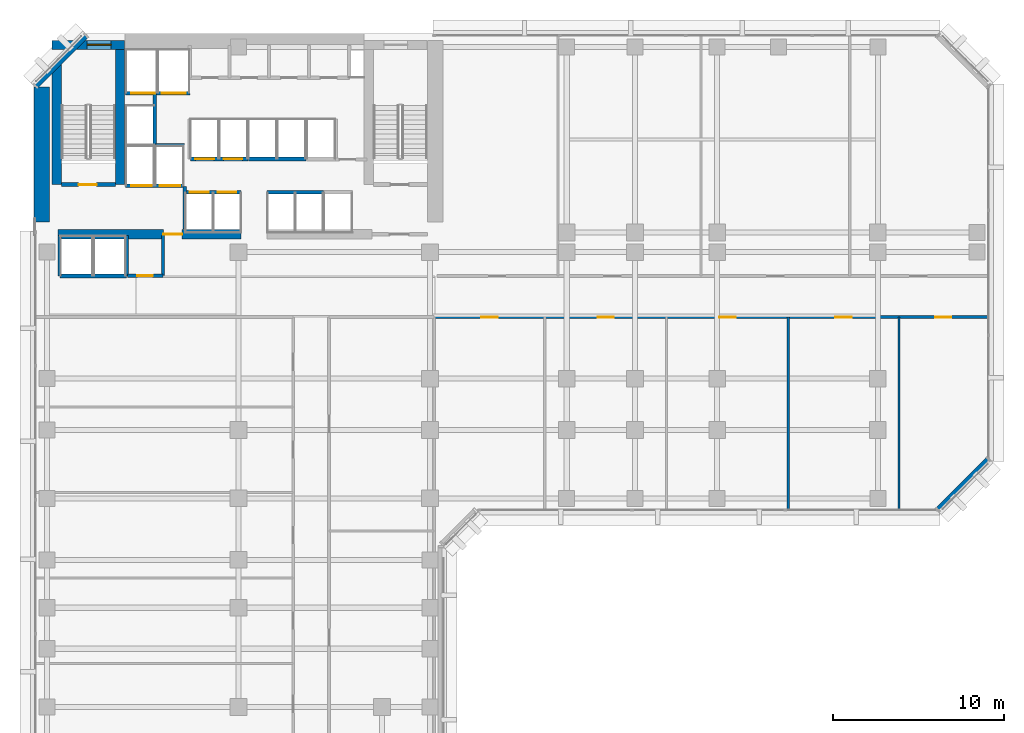
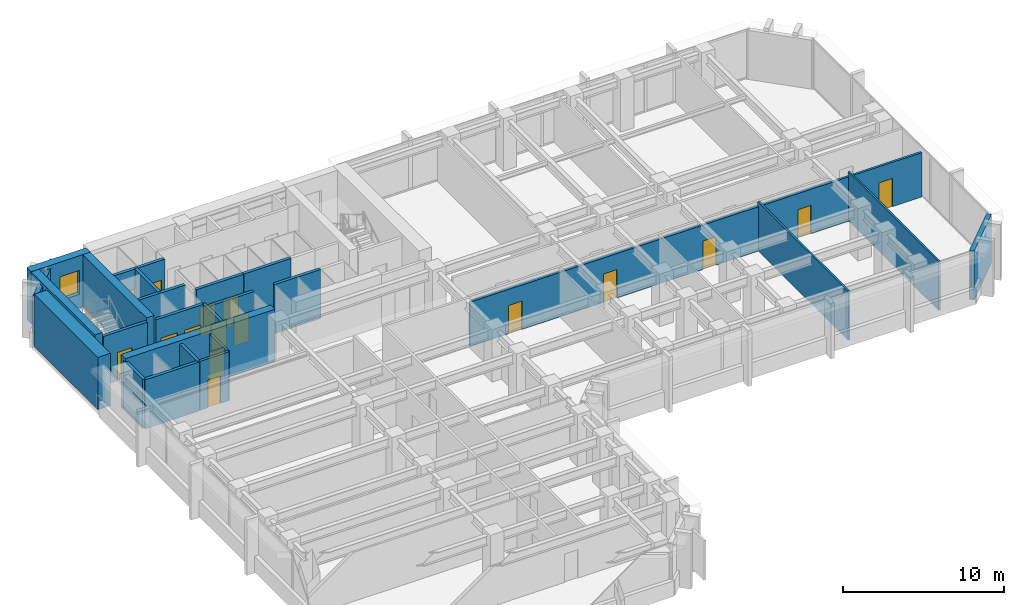
# One storey, part 7 of 13: 25 walls, 16 doors, 1 window, 17 openings.
"""IFC4 building model written with IfcOpenShell, lengths in metres."""

from ifc_helpers import new_model, si_unit, direction, frame, frame_2d, origin, place, context, subcontext, project, spatial, rectangle, extrude, material, layer, layer_set, type_object, element, fill, save


model = new_model("IFC4")

# Units and contexts
model_context = context("Model", 3, precision=1e-05, world=origin(), true_north=direction((0.0, 1.0)))
body_context = subcontext(model_context, "Body", "Model", "MODEL_VIEW")
ifc_project = project(units=[si_unit("LENGTHUNIT", "METRE"), si_unit("AREAUNIT", "SQUARE_METRE"), si_unit("VOLUMEUNIT", "CUBIC_METRE"), si_unit("PLANEANGLEUNIT", "RADIAN"), si_unit("MASSUNIT", "GRAM", prefix="KILO")], contexts=[model_context])

# Site, building, storey
site_placement = place(None, origin())
site = spatial("IfcSite", under=ifc_project, at=site_placement, CompositionType="ELEMENT")
building_placement = place(site_placement, origin())
building = spatial("IfcBuilding", under=site, at=building_placement, Name="Kefirva Bronze Tower", CompositionType="ELEMENT")
storey_placement = place(building_placement, frame((0.0, 0.0, 58.080078125)))
storey = spatial("IfcBuildingStorey", under=building, at=storey_placement, Name="L13", CompositionType="ELEMENT", Elevation=58.080078125)

# Walls
ifc_material_1 = material(Name="Gypsum acoustic partition")
ifc_layer_1 = layer(ifc_material_1, 0.1298828125, Name="Gypsum acoustic partition")
ifc_layer_set_1 = layer_set([ifc_layer_1], Name="Gypsum acoustic partition")
wall_type_1 = type_object("IfcWallType", Name="Acoustic Office Partition 130mm", PredefinedType="PARTITIONING", material=ifc_layer_set_1)
for number, where, z_axis, x_axis, name in (
    (1, (44.160400390625, 18.18994140625, 0.0), (0.0, 0.0, 1.0), (0.0, 1.0, 0.0), "L13 Partition W-L13-ESD3"),
    (2, (50.63232421875, 18.18994140625, 0.0), (0.0, 0.0, 1.0), (0.0, 1.0, 0.0), "L13 Partition W-L13-ESD4"),
):
    element("IfcWall", number, at=place(storey_placement, frame(where, z_axis=z_axis, x_axis=x_axis)), inside=storey, type_object=wall_type_1, Name=name, PredefinedType="PARTITIONING", context=body_context, shape_type="SweptSolid", body=[
        extrude(rectangle(XDim=11.2099609375, YDim=0.1298828125, at=frame_2d((5.60498046875, 0.0))), origin(), (0.0, 0.0, 1.0), 3.7099609375),
    ])

# Wall, opening, door
ifc_material_2 = material(Name="Gypsum fireboard shaftwall")
ifc_layer_2 = layer(ifc_material_2, 0.219970703125, Name="Gypsum fireboard shaftwall")
ifc_layer_set_2 = layer_set([ifc_layer_2], Name="Gypsum fireboard shaftwall")
wall_type_2 = type_object("IfcWallType", Name="Fire-Rated Shaft Enclosure Wall 220mm", PredefinedType="PARTITIONING", material=ifc_layer_set_2)
wall_1_placement = place(storey_placement, frame((1.64990234375, 37.14990234375, 0.0), z_axis=(0.0, 0.0, 1.0), x_axis=(1.0, 0.0, 0.0)))
wall_1 = element("IfcWall", 3, at=wall_1_placement, inside=storey, type_object=wall_type_2, Name="L13 Partition W-L13-ST1S", PredefinedType="PARTITIONING", context=body_context, shape_type="SweptSolid", body=[
    extrude(rectangle(XDim=3.150146484375, YDim=0.219970703125, at=frame_2d((1.5751953125, 0.0))), origin(), (0.0, 0.0, 1.0), 3.7099609375),
])
opening_1_placement = place(wall_1_placement, frame((2.050048828125, 0.0, 0.0), z_axis=(0.0, 0.0, 1.0), x_axis=(-1.0, 0.0, 0.0)))
opening_1 = element("IfcOpeningElement", 4, at=opening_1_placement, cuts=wall_1, Name="Opening L13-D001", PredefinedType="OPENING", context=body_context, shape_type="SweptSolid", body=[
    extrude(rectangle(XDim=1.050048828125, YDim=2.14990234375, at=frame_2d((0.52490234375, 1.074951171875))), frame((0.0, 0.1201171875, 0.0), z_axis=(0.0, -1.0, 0.0), x_axis=(1.0, 0.0, 0.0)), (0.0, 0.0, 1.0), 0.239990234375),
])
ifc_material_3 = material(Name="Painted galvanized steel", Category="steel")
door_type_1 = type_object("IfcDoorType", Name="Fire Stair Enclosure Door 1050x2150 FD90S", OperationType="NOTDEFINED", PredefinedType="DOOR", material=ifc_material_3)
door_1_placement = place(opening_1_placement, origin())
door_1 = element("IfcDoor", 5, at=door_1_placement, inside=storey, type_object=door_type_1, Name="Door L13-D001", OperationType="SINGLE_SWING_LEFT", OverallHeight=2.14990234375, OverallWidth=1.050048828125, PredefinedType="DOOR", context=body_context, shape_type="SweptSolid", body=[
    extrude(rectangle(XDim=1.050048828125, YDim=2.14990234375, at=frame_2d((0.52490234375, 1.074951171875))), frame((0.0, 0.02490234375, 0.0), z_axis=(0.0, -1.0, 0.0), x_axis=(1.0, 0.0, 0.0)), (0.0, 0.0, 1.0), 0.050048828125),
])
fill(opening_1, door_1)

# Wall, openings, doors
wall_2_placement = place(storey_placement, frame((5.3798828125, 37.080078125, 0.0), z_axis=(0.0, 0.0, 1.0), x_axis=(1.0, 0.0, 0.0)))
wall_2 = element("IfcWall", 6, at=wall_2_placement, inside=storey, type_object=wall_type_2, Name="L13 Partition W-L13-FFS", PredefinedType="PARTITIONING", context=body_context, shape_type="SweptSolid", body=[
    extrude(rectangle(XDim=3.460205078125, YDim=0.219970703125, at=frame_2d((1.72998046875, 0.0))), origin(), (0.0, 0.0, 1.0), 3.7099609375),
])
opening_2_placement = place(wall_2_placement, frame((1.550048828125, 0.0, 0.0), z_axis=(0.0, 0.0, 1.0), x_axis=(-1.0, 0.0, 0.0)))
opening_2 = element("IfcOpeningElement", 7, at=opening_2_placement, cuts=wall_2, Name="Opening L13-LD-FF1", PredefinedType="OPENING", context=body_context, shape_type="SweptSolid", body=[
    extrude(rectangle(XDim=1.199951171875, YDim=2.199951171875, at=frame_2d((0.60009765625, 1.10009765625))), frame((0.0, 0.1201171875, 0.0), z_axis=(0.0, -1.0, 0.0), x_axis=(1.0, 0.0, 0.0)), (0.0, 0.0, 1.0), 0.239990234375),
])
opening_3_placement = place(wall_2_placement, frame((3.219970703125, 0.0, 0.0), z_axis=(0.0, 0.0, 1.0), x_axis=(-1.0, 0.0, 0.0)))
opening_3 = element("IfcOpeningElement", 8, at=opening_3_placement, cuts=wall_2, Name="Opening L13-LD-FF2", PredefinedType="OPENING", context=body_context, shape_type="SweptSolid", body=[
    extrude(rectangle(XDim=1.199951171875, YDim=2.199951171875, at=frame_2d((0.60009765625, 1.10009765625))), frame((0.0, 0.1201171875, 0.0), z_axis=(0.0, -1.0, 0.0), x_axis=(1.0, 0.0, 0.0)), (0.0, 0.0, 1.0), 0.239990234375),
])
ifc_material_4 = material(Name="Stainless steel 316", Category="steel")
door_type_2 = type_object("IfcDoorType", Name="Firefighting Lift Sliding Door 1200x2200", OperationType="SLIDING_TO_RIGHT", PredefinedType="DOOR", material=ifc_material_4)
door_2_placement = place(opening_2_placement, origin())
door_2 = element("IfcDoor", 9, at=door_2_placement, inside=storey, type_object=door_type_2, Name="Door L13-LD-FF1", OperationType="SLIDING_TO_RIGHT", OverallHeight=2.199951171875, OverallWidth=1.199951171875, PredefinedType="DOOR", context=body_context, shape_type="SweptSolid", body=[
    extrude(rectangle(XDim=1.199951171875, YDim=2.199951171875, at=frame_2d((0.60009765625, 1.10009765625))), frame((0.0, 0.02490234375, 0.0), z_axis=(0.0, -1.0, 0.0), x_axis=(1.0, 0.0, 0.0)), (0.0, 0.0, 1.0), 0.050048828125),
])
fill(opening_2, door_2)
door_3_placement = place(opening_3_placement, origin())
door_3 = element("IfcDoor", 10, at=door_3_placement, inside=storey, type_object=door_type_2, Name="Door L13-LD-FF2", OperationType="SLIDING_TO_RIGHT", OverallHeight=2.199951171875, OverallWidth=1.199951171875, PredefinedType="DOOR", context=body_context, shape_type="SweptSolid", body=[
    extrude(rectangle(XDim=1.199951171875, YDim=2.199951171875, at=frame_2d((0.60009765625, 1.10009765625))), frame((0.0, 0.02490234375, 0.0), z_axis=(0.0, -1.0, 0.0), x_axis=(1.0, 0.0, 0.0)), (0.0, 0.0, 1.0), 0.050048828125),
])
fill(opening_3, door_3)

# Wall
wall_3_placement = place(storey_placement, frame((5.3798828125, 39.449951171875, 0.0), z_axis=(0.0, 0.0, 1.0), x_axis=(1.0, 0.0, 0.0)))
element("IfcWall", 11, at=wall_3_placement, inside=storey, type_object=wall_type_2, Name="L13 Partition W-L13-FFN", PredefinedType="PARTITIONING", context=body_context, shape_type="SweptSolid", body=[
    extrude(rectangle(XDim=3.460205078125, YDim=0.219970703125, at=frame_2d((1.72998046875, 0.0))), origin(), (0.0, 0.0, 1.0), 3.7099609375),
])

# Wall, openings, doors
wall_4_placement = place(storey_placement, frame((5.3798828125, 42.5, 0.0), z_axis=(0.0, 0.0, 1.0), x_axis=(1.0, 0.0, 0.0)))
wall_4 = element("IfcWall", 12, at=wall_4_placement, inside=storey, type_object=wall_type_2, Name="L13 Partition W-L13-SVS", PredefinedType="PARTITIONING", context=body_context, shape_type="SweptSolid", body=[
    extrude(rectangle(XDim=3.77001953125, YDim=0.219970703125, at=frame_2d((1.885009765625, 0.0))), origin(), (0.0, 0.0, 1.0), 3.7099609375),
])
opening_4_placement = place(wall_4_placement, frame((1.75, 0.0, 0.0), z_axis=(0.0, 0.0, 1.0), x_axis=(-1.0, 0.0, 0.0)))
opening_4 = element("IfcOpeningElement", 13, at=opening_4_placement, cuts=wall_4, Name="Opening L13-LD-SV1", PredefinedType="OPENING", context=body_context, shape_type="SweptSolid", body=[
    extrude(rectangle(XDim=1.39990234375, YDim=2.199951171875, at=frame_2d((0.699951171875, 1.10009765625))), frame((0.0, 0.1201171875, 0.0), z_axis=(0.0, -1.0, 0.0), x_axis=(1.0, 0.0, 0.0)), (0.0, 0.0, 1.0), 0.239990234375),
])
opening_5_placement = place(wall_4_placement, frame((3.52978515625, 0.0, 0.0), z_axis=(0.0, 0.0, 1.0), x_axis=(-1.0, 0.0, 0.0)))
opening_5 = element("IfcOpeningElement", 14, at=opening_5_placement, cuts=wall_4, Name="Opening L13-LD-SV2", PredefinedType="OPENING", context=body_context, shape_type="SweptSolid", body=[
    extrude(rectangle(XDim=1.39990234375, YDim=2.199951171875, at=frame_2d((0.699951171875, 1.10009765625))), frame((0.0, 0.1201171875, 0.0), z_axis=(0.0, -1.0, 0.0), x_axis=(1.0, 0.0, 0.0)), (0.0, 0.0, 1.0), 0.239990234375),
])
door_type_3 = type_object("IfcDoorType", Name="Goods Lift Bi-Parting Sliding Door 1400x2200", OperationType="SLIDING_TO_LEFT", PredefinedType="DOOR", material=ifc_material_4)
door_4_placement = place(opening_4_placement, origin())
door_4 = element("IfcDoor", 15, at=door_4_placement, inside=storey, type_object=door_type_3, Name="Door L13-LD-SV1", OperationType="SLIDING_TO_LEFT", OverallHeight=2.199951171875, OverallWidth=1.39990234375, PredefinedType="DOOR", context=body_context, shape_type="SweptSolid", body=[
    extrude(rectangle(XDim=1.39990234375, YDim=2.199951171875, at=frame_2d((0.699951171875, 1.10009765625))), frame((0.0, 0.02490234375, 0.0), z_axis=(0.0, -1.0, 0.0), x_axis=(1.0, 0.0, 0.0)), (0.0, 0.0, 1.0), 0.050048828125),
])
fill(opening_4, door_4)
door_5_placement = place(opening_5_placement, origin())
door_5 = element("IfcDoor", 16, at=door_5_placement, inside=storey, type_object=door_type_3, Name="Door L13-LD-SV2", OperationType="SLIDING_TO_LEFT", OverallHeight=2.199951171875, OverallWidth=1.39990234375, PredefinedType="DOOR", context=body_context, shape_type="SweptSolid", body=[
    extrude(rectangle(XDim=1.39990234375, YDim=2.199951171875, at=frame_2d((0.699951171875, 1.10009765625))), frame((0.0, 0.02490234375, 0.0), z_axis=(0.0, -1.0, 0.0), x_axis=(1.0, 0.0, 0.0)), (0.0, 0.0, 1.0), 0.050048828125),
])
fill(opening_5, door_5)

# Walls
wall_5_placement = place(storey_placement, frame((7.10009765625, 39.52001953125, 0.0), z_axis=(0.0, 0.0, 1.0), x_axis=(0.0, 1.0, 0.0)))
element("IfcWall", 17, at=wall_5_placement, inside=storey, type_object=wall_type_2, Name="L13 Partition W-L13-HP3E", PredefinedType="PARTITIONING", context=body_context, shape_type="SweptSolid", body=[
    extrude(rectangle(XDim=2.929931640625, YDim=0.219970703125, at=frame_2d((1.46484375, 0.0))), origin(), (0.0, 0.0, 1.0), 3.7099609375),
])
wall_6_placement = place(storey_placement, frame((1.550048828125, 31.800048828125, 0.0), z_axis=(0.0, 0.0, 1.0), x_axis=(1.0, 0.0, 0.0)))
element("IfcWall", 18, at=wall_6_placement, inside=storey, type_object=wall_type_2, Name="L13 Partition W-L13-OBS", PredefinedType="PARTITIONING", context=body_context, shape_type="SweptSolid", body=[
    extrude(rectangle(XDim=3.89990234375, YDim=0.219970703125, at=frame_2d((1.949951171875, 0.0))), origin(), (0.0, 0.0, 1.0), 3.7099609375),
])
for number, where, z_axis, x_axis, name in (
    (19, (1.550048828125, 31.800048828125, 0.0), (0.0, 0.0, 1.0), (0.0, 1.0, 0.0), "L13 Partition W-L13-OBW"),
    (20, (5.449951171875, 31.800048828125, 0.0), (0.0, 0.0, 1.0), (0.0, 1.0, 0.0), "L13 Partition W-L13-OBE"),
):
    element("IfcWall", number, at=place(storey_placement, frame(where, z_axis=z_axis, x_axis=x_axis)), inside=storey, type_object=wall_type_2, Name=name, PredefinedType="PARTITIONING", context=body_context, shape_type="SweptSolid", body=[
        extrude(rectangle(XDim=2.3798828125, YDim=0.219970703125, at=frame_2d((1.18994140625, 0.0))), origin(), (0.0, 0.0, 1.0), 3.7099609375),
    ])

# Wall, openings, doors
wall_7_placement = place(storey_placement, frame((8.89990234375, 36.699951171875, 0.0), z_axis=(0.0, 0.0, 1.0), x_axis=(1.0, 0.0, 0.0)))
wall_7 = element("IfcWall", 21, at=wall_7_placement, inside=storey, type_object=wall_type_2, Name="L13 Partition W-L13-LPS", PredefinedType="PARTITIONING", context=body_context, shape_type="SweptSolid", body=[
    extrude(rectangle(XDim=3.260009765625, YDim=0.219970703125, at=frame_2d((1.6298828125, 0.0))), origin(), (0.0, 0.0, 1.0), 3.7099609375),
])
opening_6_placement = place(wall_7_placement, frame((0.260009765625, 0.0, 0.0)))
opening_6 = element("IfcOpeningElement", 22, at=opening_6_placement, cuts=wall_7, Name="Opening L13-LD-LP1", PredefinedType="OPENING", context=body_context, shape_type="SweptSolid", body=[
    extrude(rectangle(XDim=1.10009765625, YDim=2.199951171875, at=frame_2d((0.550048828125, 1.10009765625))), frame((0.0, 0.1201171875, 0.0), z_axis=(0.0, -1.0, 0.0), x_axis=(1.0, 0.0, 0.0)), (0.0, 0.0, 1.0), 0.239990234375),
])
opening_7_placement = place(wall_7_placement, frame((1.8798828125, 0.0, 0.0)))
opening_7 = element("IfcOpeningElement", 23, at=opening_7_placement, cuts=wall_7, Name="Opening L13-LD-LP2", PredefinedType="OPENING", context=body_context, shape_type="SweptSolid", body=[
    extrude(rectangle(XDim=1.10009765625, YDim=2.199951171875, at=frame_2d((0.550048828125, 1.10009765625))), frame((0.0, 0.1201171875, 0.0), z_axis=(0.0, -1.0, 0.0), x_axis=(1.0, 0.0, 0.0)), (0.0, 0.0, 1.0), 0.239990234375),
])
door_type_4 = type_object("IfcDoorType", Name="Passenger Lift Sliding Landing Door 1100x2200", OperationType="SLIDING_TO_LEFT", PredefinedType="DOOR", material=ifc_material_4)
door_6_placement = place(opening_6_placement, origin())
door_6 = element("IfcDoor", 24, at=door_6_placement, inside=storey, type_object=door_type_4, Name="Door L13-LD-LP1", OperationType="SLIDING_TO_LEFT", OverallHeight=2.199951171875, OverallWidth=1.10009765625, PredefinedType="DOOR", context=body_context, shape_type="SweptSolid", body=[
    extrude(rectangle(XDim=1.10009765625, YDim=2.199951171875, at=frame_2d((0.550048828125, 1.10009765625))), frame((0.0, 0.02490234375, 0.0), z_axis=(0.0, -1.0, 0.0), x_axis=(1.0, 0.0, 0.0)), (0.0, 0.0, 1.0), 0.050048828125),
])
fill(opening_6, door_6)
door_7_placement = place(opening_7_placement, origin())
door_7 = element("IfcDoor", 25, at=door_7_placement, inside=storey, type_object=door_type_4, Name="Door L13-LD-LP2", OperationType="SLIDING_TO_LEFT", OverallHeight=2.199951171875, OverallWidth=1.10009765625, PredefinedType="DOOR", context=body_context, shape_type="SweptSolid", body=[
    extrude(rectangle(XDim=1.10009765625, YDim=2.199951171875, at=frame_2d((0.550048828125, 1.10009765625))), frame((0.0, 0.02490234375, 0.0), z_axis=(0.0, -1.0, 0.0), x_axis=(1.0, 0.0, 0.0)), (0.0, 0.0, 1.0), 0.050048828125),
])
fill(opening_7, door_7)

wall_8_placement = place(storey_placement, frame((9.179931640625, 38.64990234375, 0.0), z_axis=(0.0, 0.0, 1.0), x_axis=(1.0, 0.0, 0.0)))
wall_8 = element("IfcWall", 26, at=wall_8_placement, inside=storey, type_object=wall_type_2, Name="L13 Partition W-L13-LPN", PredefinedType="PARTITIONING", context=body_context, shape_type="SweptSolid", body=[
    extrude(rectangle(XDim=3.380126953125, YDim=0.219970703125, at=frame_2d((1.68994140625, 0.0))), origin(), (0.0, 0.0, 1.0), 3.7099609375),
])
opening_8_placement = place(wall_8_placement, frame((0.300048828125, 0.0, 0.0)))
opening_8 = element("IfcOpeningElement", 27, at=opening_8_placement, cuts=wall_8, Name="Opening L13-LD-LP3", PredefinedType="OPENING", context=body_context, shape_type="SweptSolid", body=[
    extrude(rectangle(XDim=1.10009765625, YDim=2.199951171875, at=frame_2d((0.550048828125, 1.10009765625))), frame((0.0, 0.1201171875, 0.0), z_axis=(0.0, -1.0, 0.0), x_axis=(1.0, 0.0, 0.0)), (0.0, 0.0, 1.0), 0.239990234375),
])
opening_9_placement = place(wall_8_placement, frame((1.949951171875, 0.0, 0.0)))
opening_9 = element("IfcOpeningElement", 28, at=opening_9_placement, cuts=wall_8, Name="Opening L13-LD-LP4", PredefinedType="OPENING", context=body_context, shape_type="SweptSolid", body=[
    extrude(rectangle(XDim=1.10009765625, YDim=2.199951171875, at=frame_2d((0.550048828125, 1.10009765625))), frame((0.0, 0.1201171875, 0.0), z_axis=(0.0, -1.0, 0.0), x_axis=(1.0, 0.0, 0.0)), (0.0, 0.0, 1.0), 0.239990234375),
])
door_8_placement = place(opening_8_placement, origin())
door_8 = element("IfcDoor", 29, at=door_8_placement, inside=storey, type_object=door_type_4, Name="Door L13-LD-LP3", OperationType="SLIDING_TO_LEFT", OverallHeight=2.199951171875, OverallWidth=1.10009765625, PredefinedType="DOOR", context=body_context, shape_type="SweptSolid", body=[
    extrude(rectangle(XDim=1.10009765625, YDim=2.199951171875, at=frame_2d((0.550048828125, 1.10009765625))), frame((0.0, 0.02490234375, 0.0), z_axis=(0.0, -1.0, 0.0), x_axis=(1.0, 0.0, 0.0)), (0.0, 0.0, 1.0), 0.050048828125),
])
fill(opening_8, door_8)
door_9_placement = place(opening_9_placement, origin())
door_9 = element("IfcDoor", 30, at=door_9_placement, inside=storey, type_object=door_type_4, Name="Door L13-LD-LP4", OperationType="SLIDING_TO_LEFT", OverallHeight=2.199951171875, OverallWidth=1.10009765625, PredefinedType="DOOR", context=body_context, shape_type="SweptSolid", body=[
    extrude(rectangle(XDim=1.10009765625, YDim=2.199951171875, at=frame_2d((0.550048828125, 1.10009765625))), frame((0.0, 0.02490234375, 0.0), z_axis=(0.0, -1.0, 0.0), x_axis=(1.0, 0.0, 0.0)), (0.0, 0.0, 1.0), 0.050048828125),
])
fill(opening_9, door_9)

# Walls
wall_9_placement = place(storey_placement, frame((13.679931640625, 36.699951171875, 0.0), z_axis=(0.0, 0.0, 1.0), x_axis=(1.0, 0.0, 0.0)))
element("IfcWall", 31, at=wall_9_placement, inside=storey, type_object=wall_type_2, Name="L13 Partition W-L13-MPS", PredefinedType="PARTITIONING", context=body_context, shape_type="SweptSolid", body=[
    extrude(rectangle(XDim=3.280029296875, YDim=0.219970703125, at=frame_2d((1.64013671875, 0.0))), origin(), (0.0, 0.0, 1.0), 3.7099609375),
])
wall_10_placement = place(storey_placement, frame((12.580078125, 38.64990234375, 0.0), z_axis=(0.0, 0.0, 1.0), x_axis=(1.0, 0.0, 0.0)))
element("IfcWall", 32, at=wall_10_placement, inside=storey, type_object=wall_type_2, Name="L13 Partition W-L13-MPN", PredefinedType="PARTITIONING", context=body_context, shape_type="SweptSolid", body=[
    extrude(rectangle(XDim=3.3798828125, YDim=0.219970703125, at=frame_2d((1.68994140625, 0.0))), origin(), (0.0, 0.0, 1.0), 3.7099609375),
])
ifc_material_5 = material(Name="Gypsum fireboard barrier")
ifc_layer_3 = layer(ifc_material_5, 0.199951171875, Name="Gypsum fireboard barrier")
ifc_layer_set_3 = layer_set([ifc_layer_3], Name="Gypsum fireboard barrier")
wall_type_3 = type_object("IfcWallType", Name="Firefighting Lobby Barrier Wall 200mm", PredefinedType="PARTITIONING", material=ifc_layer_set_3)
wall_11_placement = place(storey_placement, frame((8.860107421875, 34.550048828125, 0.0), z_axis=(0.0, 0.0, 1.0), x_axis=(0.0, 1.0, 0.0)))
element("IfcWall", 33, at=wall_11_placement, inside=storey, type_object=wall_type_3, Name="L13 Partition W-L13-FFLE", PredefinedType="PARTITIONING", context=body_context, shape_type="SweptSolid", body=[
    extrude(rectangle(XDim=2.5, YDim=0.199951171875, at=frame_2d((1.25, 0.0))), origin(), (0.0, 0.0, 1.0), 3.7099609375),
])
ifc_material_6 = material(Name="Precast concrete C40/50", Category="concrete")
ifc_layer_4 = layer(ifc_material_6, 0.320068359375, Name="Precast concrete C40/50")
ifc_layer_set_4 = layer_set([ifc_layer_4], Name="Precast concrete C40/50")
wall_type_4 = type_object("IfcWallType", Name="Precast Insulated Exterior Wall 320mm", PredefinedType="SOLIDWALL", material=ifc_layer_set_4)
for number, where, z_axis, x_axis, name in (
    (34, (52.92578125, 18.152099609375, 0.0), (0.0, 0.0, 1.0), (0.707106781187, 0.707106781187, 0.0), "L13 Exterior Facade Wall 4"),
    (35, (3.07421875, 45.847900390625, 0.0), (0.0, 0.0, 1.0), (-0.707106781187, -0.707106781187, 0.0), "L13 Exterior Facade Wall 6"),
):
    element("IfcWall", number, at=place(storey_placement, frame(where, z_axis=z_axis, x_axis=x_axis)), inside=storey, type_object=wall_type_4, Name=name, PredefinedType="SOLIDWALL", context=body_context, shape_type="SweptSolid", body=[
        extrude(rectangle(XDim=4.132568359375, YDim=0.320068359375, at=frame_2d((2.06640625, 0.0))), origin(), (0.0, 0.0, 1.0), 3.7099609375),
    ])

# Wall, openings, doors
ifc_layer_5 = layer(ifc_material_1, 0.159912109375, Name="Gypsum acoustic partition")
ifc_layer_set_5 = layer_set([ifc_layer_5], Name="Gypsum acoustic partition")
wall_type_5 = type_object("IfcWallType", Name="Protected Corridor Partition 160mm", PredefinedType="PARTITIONING", material=ifc_layer_set_5)
wall_12_placement = place(storey_placement, frame((23.449951171875, 29.39990234375, 0.0), z_axis=(0.0, 0.0, 1.0), x_axis=(1.0, 0.0, 0.0)))
wall_12 = element("IfcWall", 36, at=wall_12_placement, inside=storey, type_object=wall_type_5, Name="L13 Partition W-L13-EWS", PredefinedType="PARTITIONING", context=body_context, shape_type="SweptSolid", body=[
    extrude(rectangle(XDim=32.360107421875, YDim=0.159912109375, at=frame_2d((16.18017578125, 0.0))), origin(), (0.0, 0.0, 1.0), 3.364990234375),
])
opening_10_placement = place(wall_12_placement, frame((3.7109375, 0.0, 0.0), z_axis=(0.0, 0.0, 1.0), x_axis=(-1.0, 0.0, 0.0)))
opening_10 = element("IfcOpeningElement", 37, at=opening_10_placement, cuts=wall_12, Name="Opening L13-D-ES1", PredefinedType="OPENING", context=body_context, shape_type="SweptSolid", body=[
    extrude(rectangle(XDim=0.949951171875, YDim=2.14990234375, at=frame_2d((0.47509765625, 1.074951171875))), frame((0.0, 0.08984375, 0.0), z_axis=(0.0, -1.0, 0.0), x_axis=(1.0, 0.0, 0.0)), (0.0, 0.0, 1.0), 0.179931640625),
])
opening_11_placement = place(wall_12_placement, frame((10.506591796875, 0.0, 0.0), z_axis=(0.0, 0.0, 1.0), x_axis=(-1.0, 0.0, 0.0)))
opening_11 = element("IfcOpeningElement", 38, at=opening_11_placement, cuts=wall_12, Name="Opening L13-D-ES2", PredefinedType="OPENING", context=body_context, shape_type="SweptSolid", body=[
    extrude(rectangle(XDim=0.949951171875, YDim=2.14990234375, at=frame_2d((0.47509765625, 1.074951171875))), frame((0.0, 0.08984375, 0.0), z_axis=(0.0, -1.0, 0.0), x_axis=(1.0, 0.0, 0.0)), (0.0, 0.0, 1.0), 0.179931640625),
])
opening_12_placement = place(wall_12_placement, frame((17.625732421875, 0.0, 0.0), z_axis=(0.0, 0.0, 1.0), x_axis=(-1.0, 0.0, 0.0)))
opening_12 = element("IfcOpeningElement", 39, at=opening_12_placement, cuts=wall_12, Name="Opening L13-D-ES3", PredefinedType="OPENING", context=body_context, shape_type="SweptSolid", body=[
    extrude(rectangle(XDim=0.949951171875, YDim=2.14990234375, at=frame_2d((0.47509765625, 1.074951171875))), frame((0.0, 0.08984375, 0.0), z_axis=(0.0, -1.0, 0.0), x_axis=(1.0, 0.0, 0.0)), (0.0, 0.0, 1.0), 0.179931640625),
])
opening_13_placement = place(wall_12_placement, frame((24.42138671875, 0.0, 0.0), z_axis=(0.0, 0.0, 1.0), x_axis=(-1.0, 0.0, 0.0)))
opening_13 = element("IfcOpeningElement", 40, at=opening_13_placement, cuts=wall_12, Name="Opening L13-D-ES4", PredefinedType="OPENING", context=body_context, shape_type="SweptSolid", body=[
    extrude(rectangle(XDim=0.949951171875, YDim=2.14990234375, at=frame_2d((0.47509765625, 1.074951171875))), frame((0.0, 0.08984375, 0.0), z_axis=(0.0, -1.0, 0.0), x_axis=(1.0, 0.0, 0.0)), (0.0, 0.0, 1.0), 0.179931640625),
])
opening_14_placement = place(wall_12_placement, frame((30.24609375, 0.0, 0.0), z_axis=(0.0, 0.0, 1.0), x_axis=(-1.0, 0.0, 0.0)))
opening_14 = element("IfcOpeningElement", 41, at=opening_14_placement, cuts=wall_12, Name="Opening L13-D-ES5", PredefinedType="OPENING", context=body_context, shape_type="SweptSolid", body=[
    extrude(rectangle(XDim=0.949951171875, YDim=2.14990234375, at=frame_2d((0.47509765625, 1.074951171875))), frame((0.0, 0.08984375, 0.0), z_axis=(0.0, -1.0, 0.0), x_axis=(1.0, 0.0, 0.0)), (0.0, 0.0, 1.0), 0.179931640625),
])
ifc_material_7 = material(Name="Acoustic hardwood oak", Category="wood")
door_type_5 = type_object("IfcDoorType", Name="Office & Meeting Room Door 950x2150", OperationType="NOTDEFINED", PredefinedType="DOOR", material=ifc_material_7)
door_10_placement = place(opening_10_placement, origin())
door_10 = element("IfcDoor", 42, at=door_10_placement, inside=storey, type_object=door_type_5, Name="Door L13-D-ES1", OperationType="SINGLE_SWING_LEFT", OverallHeight=2.14990234375, OverallWidth=0.949951171875, PredefinedType="DOOR", context=body_context, shape_type="SweptSolid", body=[
    extrude(rectangle(XDim=0.949951171875, YDim=2.14990234375, at=frame_2d((0.47509765625, 1.074951171875))), frame((0.0, 0.02490234375, 0.0), z_axis=(0.0, -1.0, 0.0), x_axis=(1.0, 0.0, 0.0)), (0.0, 0.0, 1.0), 0.050048828125),
])
fill(opening_10, door_10)
door_11_placement = place(opening_11_placement, origin())
door_11 = element("IfcDoor", 43, at=door_11_placement, inside=storey, type_object=door_type_5, Name="Door L13-D-ES2", OperationType="SINGLE_SWING_RIGHT", OverallHeight=2.14990234375, OverallWidth=0.949951171875, PredefinedType="DOOR", context=body_context, shape_type="SweptSolid", body=[
    extrude(rectangle(XDim=0.949951171875, YDim=2.14990234375, at=frame_2d((0.47509765625, 1.074951171875))), frame((0.0, 0.02490234375, 0.0), z_axis=(0.0, -1.0, 0.0), x_axis=(1.0, 0.0, 0.0)), (0.0, 0.0, 1.0), 0.050048828125),
])
fill(opening_11, door_11)
door_12_placement = place(opening_12_placement, origin())
door_12 = element("IfcDoor", 44, at=door_12_placement, inside=storey, type_object=door_type_5, Name="Door L13-D-ES3", OperationType="SINGLE_SWING_LEFT", OverallHeight=2.14990234375, OverallWidth=0.949951171875, PredefinedType="DOOR", context=body_context, shape_type="SweptSolid", body=[
    extrude(rectangle(XDim=0.949951171875, YDim=2.14990234375, at=frame_2d((0.47509765625, 1.074951171875))), frame((0.0, 0.02490234375, 0.0), z_axis=(0.0, -1.0, 0.0), x_axis=(1.0, 0.0, 0.0)), (0.0, 0.0, 1.0), 0.050048828125),
])
fill(opening_12, door_12)
door_13_placement = place(opening_13_placement, origin())
door_13 = element("IfcDoor", 45, at=door_13_placement, inside=storey, type_object=door_type_5, Name="Door L13-D-ES4", OperationType="SINGLE_SWING_RIGHT", OverallHeight=2.14990234375, OverallWidth=0.949951171875, PredefinedType="DOOR", context=body_context, shape_type="SweptSolid", body=[
    extrude(rectangle(XDim=0.949951171875, YDim=2.14990234375, at=frame_2d((0.47509765625, 1.074951171875))), frame((0.0, 0.02490234375, 0.0), z_axis=(0.0, -1.0, 0.0), x_axis=(1.0, 0.0, 0.0)), (0.0, 0.0, 1.0), 0.050048828125),
])
fill(opening_13, door_13)
door_14_placement = place(opening_14_placement, origin())
door_14 = element("IfcDoor", 46, at=door_14_placement, inside=storey, type_object=door_type_5, Name="Door L13-D-ES5", OperationType="SINGLE_SWING_LEFT", OverallHeight=2.14990234375, OverallWidth=0.949951171875, PredefinedType="DOOR", context=body_context, shape_type="SweptSolid", body=[
    extrude(rectangle(XDim=0.949951171875, YDim=2.14990234375, at=frame_2d((0.47509765625, 1.074951171875))), frame((0.0, 0.02490234375, 0.0), z_axis=(0.0, -1.0, 0.0), x_axis=(1.0, 0.0, 0.0)), (0.0, 0.0, 1.0), 0.050048828125),
])
fill(opening_14, door_14)

# Wall, opening, window
ifc_material_8 = material(Name="Concrete C50/60", Category="concrete")
ifc_layer_6 = layer(ifc_material_8, 0.550048828125, Name="Concrete C50/60")
ifc_layer_set_6 = layer_set([ifc_layer_6], Name="Concrete C50/60")
wall_type_6 = type_object("IfcWallType", Name="RC Rear Core Exterior Wall 550mm", PredefinedType="SHEAR", material=ifc_layer_set_6)
wall_13_placement = place(storey_placement, frame((1.10009765625, 45.320068359375, 0.0), z_axis=(0.0, 0.0, 1.0), x_axis=(1.0, 0.0, 0.0)))
wall_13 = element("IfcWall", 47, at=wall_13_placement, inside=storey, type_object=wall_type_6, Name="L13 Stair 1 North Shear Wall", PredefinedType="SHEAR", context=body_context, shape_type="SweptSolid", body=[
    extrude(rectangle(XDim=4.239990234375, YDim=0.550048828125, at=frame_2d((2.1201171875, 0.0))), origin(), (0.0, 0.0, 1.0), 3.9599609375),
])
opening_15_placement = place(wall_13_placement, frame((2.050048828125, 0.0, 1.050048828125)))
opening_15 = element("IfcOpeningElement", 48, at=opening_15_placement, cuts=wall_13, Name="Opening WN-03", PredefinedType="OPENING", context=body_context, shape_type="SweptSolid", body=[
    extrude(rectangle(XDim=1.39990234375, YDim=1.800048828125, at=frame_2d((0.699951171875, 0.89990234375))), frame((0.0, 0.28515625, 0.0), z_axis=(0.0, -1.0, 0.0), x_axis=(1.0, 0.0, 0.0)), (0.0, 0.0, 1.0), 0.570068359375),
])
ifc_material_9 = material(Name="Laminated low-E double glazing", Category="glass")
window_type = type_object("IfcWindowType", Name="Rear-Core Stair Daylight Window 1400x1800", PartitioningType="SINGLE_PANEL", PredefinedType="WINDOW", material=ifc_material_9)
window_placement = place(opening_15_placement, origin())
window = element("IfcWindow", 49, at=window_placement, inside=storey, type_object=window_type, Name="L13 Stair 1 Daylight Window", OverallHeight=1.800048828125, OverallWidth=1.39990234375, PartitioningType="SINGLE_PANEL", PredefinedType="WINDOW", context=body_context, shape_type="SweptSolid", body=[
    extrude(rectangle(XDim=1.39990234375, YDim=1.800048828125, at=frame_2d((0.699951171875, 0.89990234375))), frame((0.0, 0.030029296875, 0.0), z_axis=(0.0, -1.0, 0.0), x_axis=(1.0, 0.0, 0.0)), (0.0, 0.0, 1.0), 0.06005859375),
])
fill(opening_15, window)

# Walls
ifc_material_10 = material(Name="Concrete C60/75", Category="concrete")
ifc_layer_7 = layer(ifc_material_10, 0.89990234375, Name="Concrete C60/75")
ifc_layer_set_7 = layer_set([ifc_layer_7], Name="Concrete C60/75")
wall_type_7 = type_object("IfcWallType", Name="RC Rear Core Exterior Wall 900mm", PredefinedType="SHEAR", material=ifc_layer_set_7)
wall_14_placement = place(storey_placement, frame((0.5, 34.949951171875, 0.0), z_axis=(0.0, 0.0, 1.0), x_axis=(0.0, 1.0, 0.0)))
element("IfcWall", 50, at=wall_14_placement, inside=storey, type_object=wall_type_7, Name="L13 Rear Core West Shear Wall", PredefinedType="SHEAR", context=body_context, shape_type="SweptSolid", body=[
    extrude(rectangle(XDim=7.900146484375, YDim=0.89990234375, at=frame_2d((3.9501953125, 0.0))), origin(), (0.0, 0.0, 1.0), 3.9599609375),
])
ifc_layer_8 = layer(ifc_material_8, 0.550048828125, Name="Concrete C50/60")
ifc_layer_set_8 = layer_set([ifc_layer_8], Name="Concrete C50/60")
wall_type_8 = type_object("IfcWallType", Name="RC Rear Core Interior Wall 550mm", PredefinedType="SHEAR", material=ifc_layer_set_8)
for number, where, z_axis, x_axis, name in (
    (51, (1.3701171875, 37.14990234375, 0.0), (0.0, 0.0, 1.0), (0.0, 1.0, 0.0), "L13 Stair 1 West Shear Wall"),
    (52, (5.070068359375, 37.14990234375, 0.0), (0.0, 0.0, 1.0), (0.0, 1.0, 0.0), "L13 Stair 1 East Shear Wall"),
):
    element("IfcWall", number, at=place(storey_placement, frame(where, z_axis=z_axis, x_axis=x_axis)), inside=storey, type_object=wall_type_8, Name=name, PredefinedType="SHEAR", context=body_context, shape_type="SweptSolid", body=[
        extrude(rectangle(XDim=7.89013671875, YDim=0.550048828125, at=frame_2d((3.945068359375, 0.0))), origin(), (0.0, 0.0, 1.0), 3.9599609375),
    ])

# Wall, opening, door
ifc_layer_9 = layer(ifc_material_10, 0.89990234375, Name="Concrete C60/75")
ifc_layer_set_9 = layer_set([ifc_layer_9], Name="Concrete C60/75")
wall_type_9 = type_object("IfcWallType", Name="RC Rear Core Interior Wall 900mm", PredefinedType="SHEAR", material=ifc_layer_set_9)
wall_15_placement = place(storey_placement, frame((1.449951171875, 34.25, 0.0), z_axis=(0.0, 0.0, 1.0), x_axis=(1.0, 0.0, 0.0)))
wall_15 = element("IfcWall", 53, at=wall_15_placement, inside=storey, type_object=wall_type_9, Name="L13 Rear Core South-West Shear Wall", PredefinedType="SHEAR", context=body_context, shape_type="SweptSolid", body=[
    extrude(rectangle(XDim=10.7099609375, YDim=0.550048828125, at=frame_2d((5.35498046875, 0.0))), origin(), (0.0, 0.0, 1.0), 3.9599609375),
])
opening_16_placement = place(wall_15_placement, frame((7.25, 0.0, 0.0), z_axis=(0.0, 0.0, 1.0), x_axis=(-1.0, 0.0, 0.0)))
opening_16 = element("IfcOpeningElement", 54, at=opening_16_placement, cuts=wall_15, Name="Opening L13-D002", PredefinedType="OPENING", context=body_context, shape_type="SweptSolid", body=[
    extrude(rectangle(XDim=1.10009765625, YDim=2.14990234375, at=frame_2d((0.550048828125, 1.074951171875))), frame((0.0, 0.28515625, 0.0), z_axis=(0.0, -1.0, 0.0), x_axis=(1.0, 0.0, 0.0)), (0.0, 0.0, 1.0), 0.570068359375),
])
door_type_6 = type_object("IfcDoorType", Name="Firefighting Lobby Smoke Door 1100x2150 FD60S", OperationType="NOTDEFINED", PredefinedType="DOOR", material=ifc_material_3)
door_15_placement = place(opening_16_placement, origin())
door_15 = element("IfcDoor", 55, at=door_15_placement, inside=storey, type_object=door_type_6, Name="Door L13-D002", OperationType="SINGLE_SWING_RIGHT", OverallHeight=2.14990234375, OverallWidth=1.10009765625, PredefinedType="DOOR", context=body_context, shape_type="SweptSolid", body=[
    extrude(rectangle(XDim=1.10009765625, YDim=2.14990234375, at=frame_2d((0.550048828125, 1.074951171875))), frame((0.0, 0.02490234375, 0.0), z_axis=(0.0, -1.0, 0.0), x_axis=(1.0, 0.0, 0.0)), (0.0, 0.0, 1.0), 0.050048828125),
])
fill(opening_16, door_15)

ifc_material_11 = material(Name="Moisture-resistant partition")
ifc_layer_10 = layer(ifc_material_11, 0.179931640625, Name="Moisture-resistant partition")
ifc_layer_set_10 = layer_set([ifc_layer_10], Name="Moisture-resistant partition")
wall_type_10 = type_object("IfcWallType", Name="Sanitary Plumbing Chase Wall 180mm", PredefinedType="PLUMBINGWALL", material=ifc_layer_set_10)
wall_16_placement = place(storey_placement, frame((5.5, 31.820068359375, 0.0), z_axis=(0.0, 0.0, 1.0), x_axis=(1.0, 0.0, 0.0)))
wall_16 = element("IfcWall", 56, at=wall_16_placement, inside=storey, type_object=wall_type_10, Name="L13 Partition W-L13-TCS", PredefinedType="PLUMBINGWALL", context=body_context, shape_type="SweptSolid", body=[
    extrude(rectangle(XDim=2.080078125, YDim=0.179931640625, at=frame_2d((1.0400390625, 0.0))), origin(), (0.0, 0.0, 1.0), 3.7099609375),
])
opening_17_placement = place(wall_16_placement, frame((1.47998046875, 0.0, 0.0), z_axis=(0.0, 0.0, 1.0), x_axis=(-1.0, 0.0, 0.0)))
opening_17 = element("IfcOpeningElement", 57, at=opening_17_placement, cuts=wall_16, Name="Opening L13-D-TCL1", PredefinedType="OPENING", context=body_context, shape_type="SweptSolid", body=[
    extrude(rectangle(XDim=0.89990234375, YDim=2.10009765625, at=frame_2d((0.449951171875, 1.050048828125))), frame((0.0, 0.10009765625, 0.0), z_axis=(0.0, -1.0, 0.0), x_axis=(1.0, 0.0, 0.0)), (0.0, 0.0, 1.0), 0.199951171875),
])
door_type_7 = type_object("IfcDoorType", Name="Telecom & Meter Fire Door 900x2100 FD60S", OperationType="NOTDEFINED", PredefinedType="DOOR", material=ifc_material_3)
door_16_placement = place(opening_17_placement, origin())
door_16 = element("IfcDoor", 58, at=door_16_placement, inside=storey, type_object=door_type_7, Name="Door L13-D-TCL1", OperationType="SINGLE_SWING_RIGHT", OverallHeight=2.10009765625, OverallWidth=0.89990234375, PredefinedType="DOOR", context=body_context, shape_type="SweptSolid", body=[
    extrude(rectangle(XDim=0.89990234375, YDim=2.10009765625, at=frame_2d((0.449951171875, 1.050048828125))), frame((0.0, 0.02490234375, 0.0), z_axis=(0.0, -1.0, 0.0), x_axis=(1.0, 0.0, 0.0)), (0.0, 0.0, 1.0), 0.050048828125),
])
fill(opening_17, door_16)

# Wall
wall_17_placement = place(storey_placement, frame((7.580078125, 31.820068359375, 0.0), z_axis=(0.0, 0.0, 1.0), x_axis=(0.0, 1.0, 0.0)))
element("IfcWall", 59, at=wall_17_placement, inside=storey, type_object=wall_type_10, Name="L13 Partition W-L13-TCE", PredefinedType="PLUMBINGWALL", context=body_context, shape_type="SweptSolid", body=[
    extrude(rectangle(XDim=2.35986328125, YDim=0.179931640625, at=frame_2d((1.179931640625, 0.0))), origin(), (0.0, 0.0, 1.0), 3.7099609375),
])

save(model, "model.ifc")
